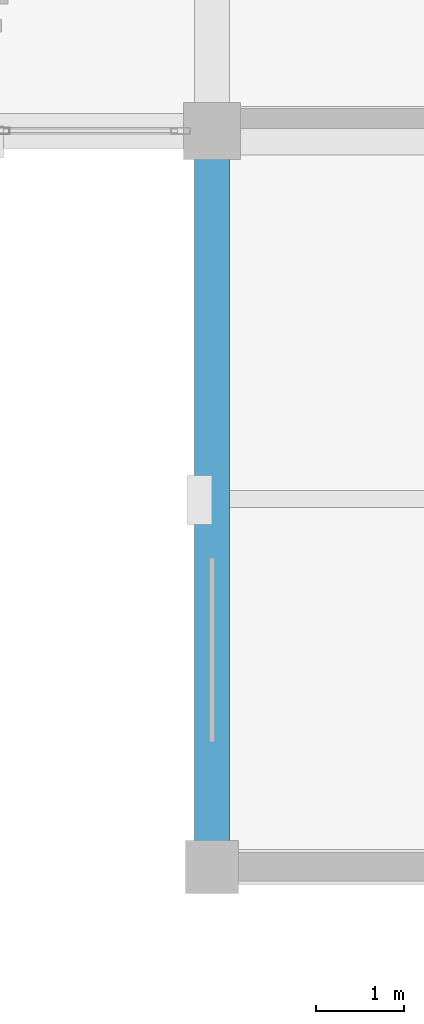
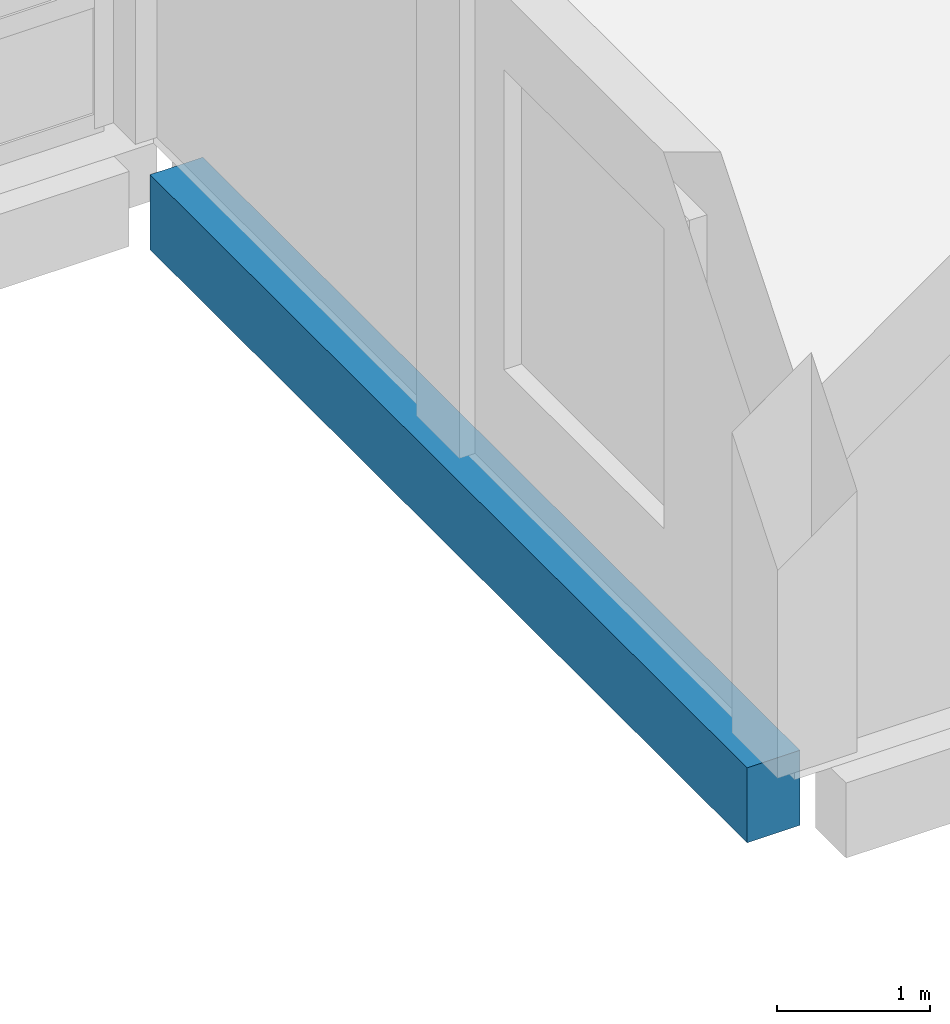
# One storey, part 37 of 102: 1 beam.
"""IFC4 building model written with IfcOpenShell, lengths in metres."""

from ifc_helpers import new_model, si_unit, direction, frame, origin, origin_2d, place, context, subcontext, project, spatial, rectangle, extrude, material, material_profile, profile_set, type_object, element, save


model = new_model("IFC4")

# Units and contexts
model_context = context("Model", 3, precision=1e-05, world=origin(), true_north=direction((0.0, 1.0)))
body_context = subcontext(model_context, "Body", "Model", "MODEL_VIEW")
ifc_project = project(units=[si_unit("LENGTHUNIT", "METRE"), si_unit("AREAUNIT", "SQUARE_METRE"), si_unit("VOLUMEUNIT", "CUBIC_METRE"), si_unit("PLANEANGLEUNIT", "RADIAN"), si_unit("MASSUNIT", "GRAM", prefix="KILO")], contexts=[model_context])

# Site, building, storey
site_placement = place(None, origin())
site = spatial("IfcSite", under=ifc_project, at=site_placement, CompositionType="ELEMENT")
building_placement = place(site_placement, origin())
building = spatial("IfcBuilding", under=site, at=building_placement, Name="Lornevale Opera House", CompositionType="ELEMENT")
storey_placement = place(building_placement, frame((0.0, 0.0, 5.39990234375)))
storey = spatial("IfcBuildingStorey", under=building, at=storey_placement, Name="L02", CompositionType="ELEMENT", Elevation=5.39990234375)

# Beam
ifc_material = material(Name="Concrete 35 MPa (CSA A23.1 N)", Category="concrete")
ifc_material_profile = material_profile(ifc_material, rectangle(XDim=0.39990234375, YDim=0.60009765625, at=origin_2d()), Name="RC400x600")
ifc_profile_set = profile_set([ifc_material_profile], Name="Concrete 35 MPa (CSA A23.1 N)")
beam_type = type_object("IfcBeamType", Name="Concrete Spandrel Beam 400x600", PredefinedType="SPANDREL", material=ifc_profile_set)
beam_placement = place(storey_placement, frame((124.800048828125, 8.675048828125, -0.599853515625), z_axis=(0.0, 1.0, 0.0), x_axis=(-1.0, 0.0, 0.0)))
element("IfcBeam", 1, at=beam_placement, inside=storey, type_object=beam_type, Name="Concrete Spandrel Beam 400x600 1939", PredefinedType="SPANDREL", context=body_context, shape_type="SweptSolid", body=[
    extrude(rectangle(XDim=0.39990234375, YDim=0.60009765625, at=origin_2d()), origin(), (0.0, 0.0, 1.0), 7.824951171875),
])

save(model, "model.ifc")
